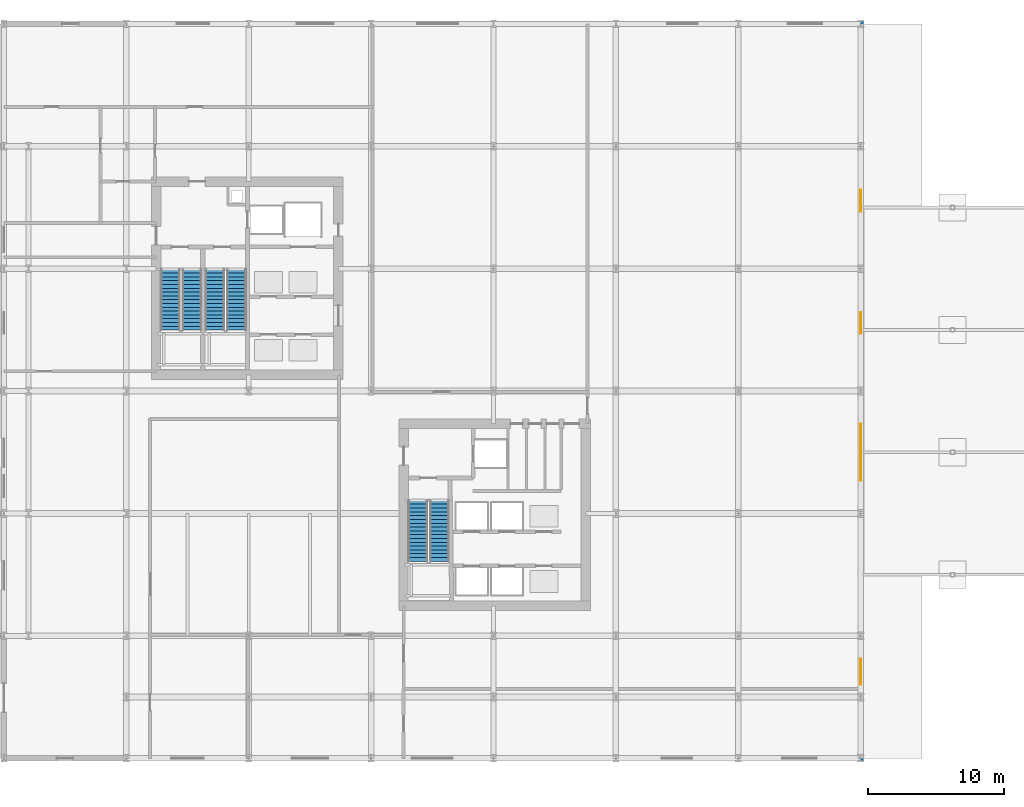
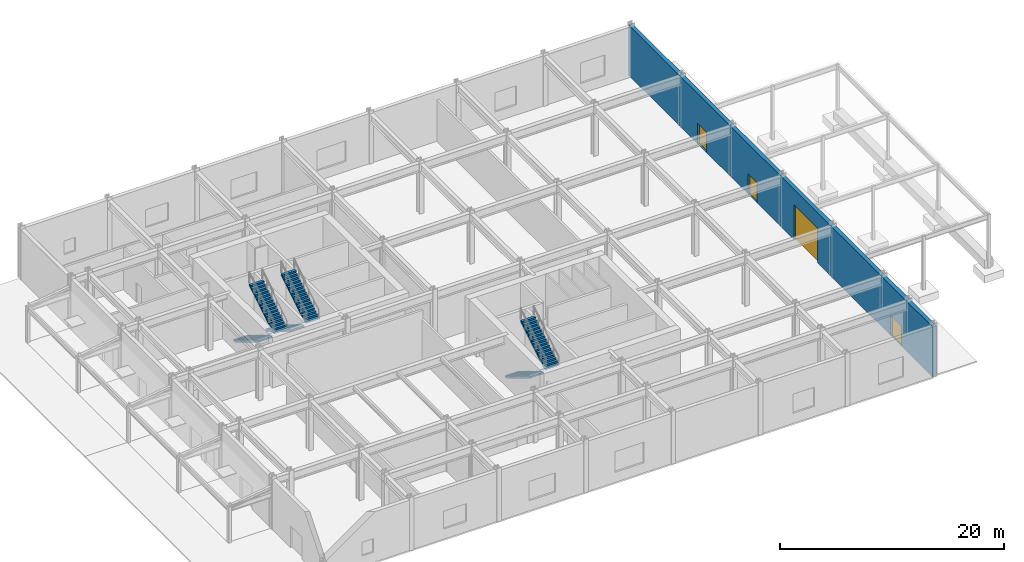
# One storey, part 13 of 19: 6 stair flights, 4 doors, 1 wall, 4 openings, 3 elements without a shape of their own.
"""IFC4 building model written with IfcOpenShell, lengths in metres."""

import ifcopenshell
import ifcopenshell.guid

model = None  # the IFC model being written
_history = None  # IfcOwnerHistory: only IFC2X3 demands one
_inside = {}  # id of a spatial element -> (the spatial element, [elements in it])
_under = {}  # id of a project, library or spatial element -> (it, [spatial elements below it])
_declared = {}  # id of a project -> (the project, [libraries it declares])
_typed = {}  # id of a type object -> (the type object, [elements of that type])
_made_of = {}  # id of a material, layer set ... -> (it, [elements and type objects made of it])


def new_model(schema):
    """Start an empty IFC model of exactly this schema.

    Asked for "IFC4X3", IfcOpenShell would pick the latest addendum, in which some entities
    have other attributes; the version numbers below select the first issue.
    IFC2X3 requires an IfcOwnerHistory on every rooted entity: one is made here for all.
    """
    global model, _history
    if schema == "IFC4X3":
        model = ifcopenshell.file(schema_version=(4, 3, 0, 0))
    else:
        model = ifcopenshell.file(schema=schema)
    _inside.clear()
    _under.clear()
    _declared.clear()
    _typed.clear()
    _made_of.clear()
    _history = None
    if model.schema == "IFC2X3":
        org = make("IfcOrganization", Name="unknown")
        user = make(
            "IfcPersonAndOrganization",
            ThePerson=make("IfcPerson", FamilyName="unknown"),
            TheOrganization=org,
        )
        app = make(
            "IfcApplication",
            ApplicationDeveloper=org,
            Version="unknown",
            ApplicationFullName="unknown",
            ApplicationIdentifier="unknown",
        )
        _history = make(
            "IfcOwnerHistory",
            OwningUser=user,
            OwningApplication=app,
            ChangeAction="ADDED",
            CreationDate=0,
        )
    return model


def make(cls, **values):
    """One entity of the class cls with the attributes given. An attribute that is None is left unset."""
    return model.create_entity(
        cls, **{name: value for name, value in values.items() if value is not None}
    )


def rooted(cls, **values):
    """An entity with a GlobalId (a new one), such as an element, a storey or a relation."""
    return make(cls, GlobalId=ifcopenshell.guid.new(), OwnerHistory=_history, **values)


def si_unit(unit_type, name, prefix=None):
    """IfcSIUnit, for example si_unit("LENGTHUNIT", "METRE", prefix="MILLI")."""
    return make("IfcSIUnit", UnitType=unit_type, Prefix=prefix, Name=name)


def assignment(units):
    """IfcUnitAssignment: the units of a project."""
    return None if units is None else make("IfcUnitAssignment", Units=units)


def point(xyz):
    """IfcCartesianPoint."""
    return None if xyz is None else make("IfcCartesianPoint", Coordinates=xyz)


def direction(xyz):
    """IfcDirection."""
    return None if xyz is None else make("IfcDirection", DirectionRatios=xyz)


def frame(location, z_axis=None, x_axis=None):
    """IfcAxis2Placement3D, a coordinate frame: its origin and axes. An axis left out is left unset."""
    return make(
        "IfcAxis2Placement3D",
        Location=point(location),
        Axis=direction(z_axis),
        RefDirection=direction(x_axis),
    )


def frame_2d(location, x_axis=None):
    """IfcAxis2Placement2D, a coordinate frame in the plane: its origin and x axis."""
    return make(
        "IfcAxis2Placement2D", Location=point(location), RefDirection=direction(x_axis)
    )


def origin():
    """The frame at (0, 0, 0) with its axes left unset."""
    return frame((0.0, 0.0, 0.0))


def place(relative_to, where):
    """IfcLocalPlacement: puts the frame where relative to a parent placement (None: the world)."""
    return make(
        "IfcLocalPlacement", PlacementRelTo=relative_to, RelativePlacement=where
    )


def context(
    kind, dimensions, precision=None, world=None, true_north=None, identifier=None
):
    """IfcGeometricRepresentationContext, for example the 3D "Model" context."""
    return make(
        "IfcGeometricRepresentationContext",
        ContextIdentifier=identifier,
        ContextType=kind,
        CoordinateSpaceDimension=dimensions,
        Precision=precision,
        WorldCoordinateSystem=world,
        TrueNorth=true_north,
    )


def subcontext(parent, identifier, kind, view, scale=None):
    """IfcGeometricRepresentationSubContext, for example "Body" below "Model"."""
    return make(
        "IfcGeometricRepresentationSubContext",
        ContextIdentifier=identifier,
        ContextType=kind,
        ParentContext=parent,
        TargetScale=scale,
        TargetView=view,
    )


def project(units=None, contexts=None):
    """IfcProject with its units and contexts."""
    return rooted(
        "IfcProject",
        Name="project",
        RepresentationContexts=contexts,
        UnitsInContext=assignment(units),
    )


def spatial(cls, under=None, at=None, **own):
    """A site, building, storey or space (cls), placed at a placement, below another one or the project."""
    s = rooted(cls, ObjectPlacement=at, **own)
    if under is not None:
        _under.setdefault(under.id(), (under, []))[1].append(s)
    return s


def polyline(points):
    """IfcPolyline through the points."""
    return make("IfcPolyline", Points=[point(p) for p in points])


def profile(cls, at=None, kind="AREA", **sizes):
    """A parametric profile (cls). Its sizes go by their IFC names, for example OverallWidth=200.0."""
    return make(cls, ProfileType=kind, Position=at, **sizes)


def rectangle(**sizes):
    """IfcRectangleProfileDef."""
    return profile("IfcRectangleProfileDef", **sizes)


def outline(outer, holes=None, kind="AREA"):
    """IfcArbitraryClosedProfileDef: a profile drawn as a closed curve; with holes, ...WithVoids."""
    if holes is None:
        return make("IfcArbitraryClosedProfileDef", ProfileType=kind, OuterCurve=outer)
    return make(
        "IfcArbitraryProfileDefWithVoids",
        ProfileType=kind,
        OuterCurve=outer,
        InnerCurves=holes,
    )


def extrude(swept, where, along, depth):
    """IfcExtrudedAreaSolid: the profile swept, set in the frame where, extruded along a direction by depth."""
    return make(
        "IfcExtrudedAreaSolid",
        SweptArea=swept,
        Position=where,
        ExtrudedDirection=direction(along),
        Depth=depth,
    )


def shape(context_of_items, identifier, shape_type, items):
    """IfcShapeRepresentation: the items that make up one representation, for example the "Body"."""
    return make(
        "IfcShapeRepresentation",
        ContextOfItems=context_of_items,
        RepresentationIdentifier=identifier,
        RepresentationType=shape_type,
        Items=items,
    )


def material(Name=None, Category=None):
    """IfcMaterial."""
    return make("IfcMaterial", Name=Name, Category=Category)


def layer(
    of_material, thickness, ventilated=None, Name=None, Category=None, Priority=None
):
    """IfcMaterialLayer: one layer of a wall or slab, of a material (None: an air gap)."""
    return make(
        "IfcMaterialLayer",
        Material=of_material,
        LayerThickness=thickness,
        IsVentilated=ventilated,
        Name=Name,
        Category=Category,
        Priority=Priority,
    )


def layer_set(layers, Name=None):
    """IfcMaterialLayerSet."""
    return make("IfcMaterialLayerSet", MaterialLayers=layers, LayerSetName=Name)


def made_of(thing, what):
    """Note that an element or type object is made of a material, layer set ...; save() writes the relation."""
    if what is not None:
        _made_of.setdefault(what.id(), (what, []))[1].append(thing)
    return thing


def type_object(cls, material=None, **own):
    """A type object (cls), such as IfcWallType, which elements share."""
    return made_of(rooted(cls, **own), material)


def element(
    cls,
    number,
    at=None,
    inside=None,
    cuts=None,
    type_object=None,
    material=None,
    context=None,
    identifier="Body",
    shape_type=None,
    held_by="IfcProductDefinitionShape",
    body=None,
    shapes=None,
    **own,
):
    """One element of the class cls, such as IfcWall. Its Tag is "e" and its number.

    at: its placement. inside: the storey or other place that contains it. cuts: it is an
    opening in that element (IfcRelVoidsElement). A single representation is given by context,
    identifier, shape_type and body (its items); several are given by shapes. held_by: the class
    of the entity that holds the representations. save() writes the other relations.
    """
    e = rooted(cls, Tag="e%d" % number, ObjectPlacement=at, **own)
    if body is not None:
        shapes = [shape(context, identifier, shape_type, body)]
    if shapes is not None:
        e.Representation = make(held_by, Representations=shapes)
    if inside is not None:
        _inside.setdefault(inside.id(), (inside, []))[1].append(e)
    if cuts is not None:
        rooted(
            "IfcRelVoidsElement", RelatingBuildingElement=cuts, RelatedOpeningElement=e
        )
    if type_object is not None:
        _typed.setdefault(type_object.id(), (type_object, []))[1].append(e)
    return made_of(e, material)


def fill(opening, filler):
    """IfcRelFillsElement: the door or window that sits in an opening."""
    return rooted(
        "IfcRelFillsElement",
        RelatingOpeningElement=opening,
        RelatedBuildingElement=filler,
    )


def aggregate(whole, parts):
    """IfcRelAggregates: a whole, such as a stair, and the parts it consists of."""
    return rooted("IfcRelAggregates", RelatingObject=whole, RelatedObjects=parts)


def save(model, path):
    """Write the relations noted so far, then the file.

    IfcRelAggregates (storeys below a building ...), IfcRelContainedInSpatialStructure (elements
    in a storey), IfcRelDefinesByType, IfcRelAssociatesMaterial and IfcRelDeclares: one each for
    every whole, place, type object, material and project.
    """
    for whole, parts in _under.values():
        aggregate(whole, parts)
    for where, things in _inside.values():
        rooted(
            "IfcRelContainedInSpatialStructure",
            RelatedElements=things,
            RelatingStructure=where,
        )
    for kind, things in _typed.values():
        rooted("IfcRelDefinesByType", RelatedObjects=things, RelatingType=kind)
    for what, things in _made_of.values():
        rooted("IfcRelAssociatesMaterial", RelatedObjects=things, RelatingMaterial=what)
    for by, libraries in _declared.values():
        rooted("IfcRelDeclares", RelatingContext=by, RelatedDefinitions=libraries)
    model.write(path)


model = new_model("IFC4")

# Units and contexts
model_context = context("Model", 3, precision=1e-05, world=origin(), true_north=direction((0.0, 1.0)))
body_context = subcontext(model_context, "Body", "Model", "MODEL_VIEW")
ifc_project = project(units=[si_unit("LENGTHUNIT", "METRE"), si_unit("AREAUNIT", "SQUARE_METRE"), si_unit("VOLUMEUNIT", "CUBIC_METRE"), si_unit("PLANEANGLEUNIT", "RADIAN"), si_unit("MASSUNIT", "GRAM", prefix="KILO")], contexts=[model_context])

# Site, building, storey
site_placement = place(None, origin())
site = spatial("IfcSite", under=ifc_project, at=site_placement, CompositionType="ELEMENT")
building_placement = place(site_placement, origin())
building = spatial("IfcBuilding", under=site, at=building_placement, Name="Solvaryn Broadcast Tower", CompositionType="ELEMENT")
storey_placement = place(building_placement, origin())
storey = spatial("IfcBuildingStorey", under=building, at=storey_placement, Name="L00", CompositionType="ELEMENT", Elevation=0.0)

# Wall, openings, doors
ifc_material_1 = material(Name="Concrete f'c 50 MPa", Category="concrete")
ifc_layer_1 = layer(ifc_material_1, 0.39990234375)
ifc_layer_set_1 = layer_set([ifc_layer_1], Name="EW-POD-400")
wall_type = type_object("IfcWallType", Name="EW-POD-400", PredefinedType="SOLIDWALL", material=ifc_layer_set_1)
wall_placement = place(storey_placement, frame((63.0, 54.199951171875, 0.0), z_axis=(0.0, 0.0, 1.0), x_axis=(0.0, -1.0, 0.0)))
wall = element("IfcWall", 1, at=wall_placement, inside=storey, type_object=wall_type, Name="L00 East Plaza Facade Wall", PredefinedType="SOLIDWALL", context=body_context, shape_type="SweptSolid", body=[
    extrude(rectangle(XDim=54.39990234375, YDim=0.39990234375, at=frame_2d((27.199951171875, 0.0))), origin(), (0.0, 0.0, 1.0), 5.47998046875),
])
opening_1_placement = place(wall_placement, frame((46.89990234375, 0.0, 0.0)))
opening_1 = element("IfcOpeningElement", 2, at=opening_1_placement, cuts=wall, Name="Opening ED-003", PredefinedType="OPENING", context=body_context, shape_type="SweptSolid", body=[
    extrude(rectangle(XDim=1.89990234375, YDim=2.199951171875, at=frame_2d((0.949951171875, 1.10009765625))), frame((0.0, 0.2099609375, 0.0), z_axis=(0.0, -1.0, 0.0), x_axis=(1.0, 0.0, 0.0)), (0.0, 0.0, 1.0), 0.419921875),
])
opening_2_placement = place(wall_placement, frame((12.39990234375, 0.0, 0.0)))
opening_2 = element("IfcOpeningElement", 3, at=opening_2_placement, cuts=wall, Name="Opening ED-007", PredefinedType="OPENING", context=body_context, shape_type="SweptSolid", body=[
    extrude(rectangle(XDim=1.60009765625, YDim=2.199951171875, at=frame_2d((0.800048828125, 1.10009765625))), frame((0.0, 0.2099609375, 0.0), z_axis=(0.0, -1.0, 0.0), x_axis=(1.0, 0.0, 0.0)), (0.0, 0.0, 1.0), 0.419921875),
])
opening_3_placement = place(wall_placement, frame((21.39990234375, 0.0, 0.0)))
opening_3 = element("IfcOpeningElement", 4, at=opening_3_placement, cuts=wall, Name="Opening ED-008", PredefinedType="OPENING", context=body_context, shape_type="SweptSolid", body=[
    extrude(rectangle(XDim=1.60009765625, YDim=2.199951171875, at=frame_2d((0.800048828125, 1.10009765625))), frame((0.0, 0.2099609375, 0.0), z_axis=(0.0, -1.0, 0.0), x_axis=(1.0, 0.0, 0.0)), (0.0, 0.0, 1.0), 0.419921875),
])
opening_4_placement = place(wall_placement, frame((29.60009765625, 0.0, 0.0)))
opening_4 = element("IfcOpeningElement", 5, at=opening_4_placement, cuts=wall, Name="Opening GS-001", PredefinedType="OPENING", context=body_context, shape_type="SweptSolid", body=[
    extrude(rectangle(XDim=4.199951171875, YDim=3.800048828125, at=frame_2d((2.10009765625, 1.89990234375))), frame((0.0, 0.2099609375, 0.0), z_axis=(0.0, -1.0, 0.0), x_axis=(1.0, 0.0, 0.0)), (0.0, 0.0, 1.0), 0.419921875),
])
ifc_material_2 = material(Name="Insulated Architectural Aluminium and Glazing", Category="aluminium")
door_type_1 = type_object("IfcDoorType", Name="ED-EXIT-1600X2200", OperationType="NOTDEFINED", PredefinedType="DOOR", material=ifc_material_2)
door_1_placement = place(opening_2_placement, origin())
door_1 = element("IfcDoor", 6, at=door_1_placement, inside=storey, type_object=door_type_1, Name="L00 East Loading Concourse Exit Door 1", OperationType="DOUBLE_DOOR_SINGLE_SWING", OverallHeight=2.199951171875, OverallWidth=1.60009765625, PredefinedType="DOOR", context=body_context, shape_type="SweptSolid", body=[
    extrude(rectangle(XDim=1.60009765625, YDim=2.199951171875, at=frame_2d((0.800048828125, 1.10009765625))), frame((0.0, 0.02490234375, 0.0), z_axis=(0.0, -1.0, 0.0), x_axis=(1.0, 0.0, 0.0)), (0.0, 0.0, 1.0), 0.050048828125),
])
fill(opening_2, door_1)
door_2_placement = place(opening_3_placement, origin())
door_2 = element("IfcDoor", 7, at=door_2_placement, inside=storey, type_object=door_type_1, Name="L00 East Loading Concourse Exit Door 2", OperationType="DOUBLE_DOOR_SINGLE_SWING", OverallHeight=2.199951171875, OverallWidth=1.60009765625, PredefinedType="DOOR", context=body_context, shape_type="SweptSolid", body=[
    extrude(rectangle(XDim=1.60009765625, YDim=2.199951171875, at=frame_2d((0.800048828125, 1.10009765625))), frame((0.0, 0.02490234375, 0.0), z_axis=(0.0, -1.0, 0.0), x_axis=(1.0, 0.0, 0.0)), (0.0, 0.0, 1.0), 0.050048828125),
])
fill(opening_3, door_2)
ifc_material_3 = material(Name="Insulated Architectural Aluminium and Glazing", Category="aluminium")
door_type_2 = type_object("IfcDoorType", Name="ED-EXIT-1900X2200", OperationType="NOTDEFINED", PredefinedType="DOOR", material=ifc_material_3)
door_3_placement = place(opening_1_placement, origin())
door_3 = element("IfcDoor", 8, at=door_3_placement, inside=storey, type_object=door_type_2, Name="L00 Final Exit Door ST3", OperationType="DOUBLE_DOOR_SINGLE_SWING", OverallHeight=2.199951171875, OverallWidth=1.89990234375, PredefinedType="DOOR", context=body_context, shape_type="SweptSolid", body=[
    extrude(rectangle(XDim=1.89990234375, YDim=2.199951171875, at=frame_2d((0.949951171875, 1.10009765625))), frame((0.0, 0.02490234375, 0.0), z_axis=(0.0, -1.0, 0.0), x_axis=(1.0, 0.0, 0.0)), (0.0, 0.0, 1.0), 0.050048828125),
])
fill(opening_1, door_3)
ifc_material_4 = material(Name="Insulated Architectural Aluminium and Glazing", Category="aluminium")
door_type_3 = type_object("IfcDoorType", Name="GS-SHUTTER-4200X3800", OperationType="NOTDEFINED", PredefinedType="GATE", material=ifc_material_4)
door_4_placement = place(opening_4_placement, origin())
door_4 = element("IfcDoor", 9, at=door_4_placement, inside=storey, type_object=door_type_3, Name="L00 OB-Truck Loading Bay Overhead Rolling Shutter Gate", OperationType="ROLLINGUP", OverallHeight=3.800048828125, OverallWidth=4.199951171875, PredefinedType="GATE", context=body_context, shape_type="SweptSolid", body=[
    extrude(rectangle(XDim=4.199951171875, YDim=3.800048828125, at=frame_2d((2.10009765625, 1.89990234375))), frame((0.0, 0.02490234375, 0.0), z_axis=(0.0, -1.0, 0.0), x_axis=(1.0, 0.0, 0.0)), (0.0, 0.0, 1.0), 0.050048828125),
])
fill(opening_4, door_4)

# Stair, stair flights
ifc_material_5 = material(Name="Concrete f'c 60 MPa", Category="concrete")
stair_type = type_object("IfcStairType", Name="ST-CORE", PredefinedType="HALF_TURN_STAIR", material=ifc_material_5)
stair_1_placement = place(storey_placement, origin())
stair_1 = element("IfcStair", 10, at=stair_1_placement, inside=storey, type_object=stair_type, Name="L00 ST1", PredefinedType="HALF_TURN_STAIR")
ifc_material_6 = material(Name="Concrete f'c 60 MPa", Category="concrete")
ifc_layer_2 = layer(ifc_material_6, 0.159912109375)
ifc_layer_set_2 = layer_set([ifc_layer_2], Name="SF-CORE")
stair_flight_type = type_object("IfcStairFlightType", Name="SF-CORE", PredefinedType="STRAIGHT", material=ifc_layer_set_2)
stair_flight_1_placement = place(storey_placement, frame((12.239990234375, 35.9599609375, 0.0), z_axis=(0.0, 0.0, 1.0), x_axis=(0.0, -1.0, 0.0)))
stair_flight_1 = element("IfcStairFlight", 11, at=stair_flight_1_placement, type_object=stair_flight_type, Name="ST1 flight 1", NumberOfRisers=17, NumberOfTreads=16, PredefinedType="STRAIGHT", RiserHeight=0.170588235, TreadLength=0.28, context=body_context, shape_type="SweptSolid", body=[
    extrude(outline(polyline([(0.0, 0.0), (0.0, 0.170654296875), (0.280029296875, 0.170654296875), (0.280029296875, 0.341064453125), (0.56005859375, 0.341064453125), (0.56005859375, 0.51171875), (0.840087890625, 0.51171875), (0.840087890625, 0.682373046875), (1.1201171875, 0.682373046875), (1.1201171875, 0.85302734375), (1.39990234375, 0.85302734375), (1.39990234375, 1.0234375), (1.679931640625, 1.0234375), (1.679931640625, 1.194091796875), (1.9599609375, 1.194091796875), (1.9599609375, 1.36474609375), (2.239990234375, 1.36474609375), (2.239990234375, 1.535400390625), (2.52001953125, 1.535400390625), (2.52001953125, 1.705810546875), (2.800048828125, 1.705810546875), (2.800048828125, 1.87646484375), (3.080078125, 1.87646484375), (3.080078125, 2.047119140625), (3.360107421875, 2.047119140625), (3.360107421875, 2.217529296875), (3.639892578125, 2.217529296875), (3.639892578125, 2.38818359375), (3.919921875, 2.38818359375), (3.919921875, 2.558837890625), (4.199951171875, 2.558837890625), (4.199951171875, 2.7294921875), (4.47998046875, 2.7294921875), (4.47998046875, 2.89990234375), (4.47998046875, 2.553955078125), (0.2880859375, 0.0), (0.0, 0.0)])), frame((0.0, 0.719970703125, 0.0), z_axis=(0.0, -1.0, 0.0), x_axis=(1.0, 0.0, 0.0)), (0.0, 0.0, 1.0), 1.43994140625),
])
stair_flight_2_placement = place(storey_placement, frame((13.830078125, 31.47998046875, 2.89990234375), z_axis=(0.0, 0.0, 1.0), x_axis=(0.0, 1.0, 0.0)))
stair_flight_2 = element("IfcStairFlight", 12, at=stair_flight_2_placement, type_object=stair_flight_type, Name="ST1 flight 2", NumberOfRisers=17, NumberOfTreads=16, PredefinedType="STRAIGHT", RiserHeight=0.170588235, TreadLength=0.28, context=body_context, shape_type="SweptSolid", body=[
    extrude(outline(polyline([(0.0, 0.0), (0.0, 0.170654296875), (0.280029296875, 0.170654296875), (0.280029296875, 0.341064453125), (0.56005859375, 0.341064453125), (0.56005859375, 0.51171875), (0.840087890625, 0.51171875), (0.840087890625, 0.682373046875), (1.1201171875, 0.682373046875), (1.1201171875, 0.85302734375), (1.39990234375, 0.85302734375), (1.39990234375, 1.0234375), (1.679931640625, 1.0234375), (1.679931640625, 1.194091796875), (1.9599609375, 1.194091796875), (1.9599609375, 1.36474609375), (2.239990234375, 1.36474609375), (2.239990234375, 1.535400390625), (2.52001953125, 1.535400390625), (2.52001953125, 1.705810546875), (2.800048828125, 1.705810546875), (2.800048828125, 1.87646484375), (3.080078125, 1.87646484375), (3.080078125, 2.047119140625), (3.360107421875, 2.047119140625), (3.360107421875, 2.217529296875), (3.639892578125, 2.217529296875), (3.639892578125, 2.38818359375), (3.919921875, 2.38818359375), (3.919921875, 2.558837890625), (4.199951171875, 2.558837890625), (4.199951171875, 2.7294921875), (4.47998046875, 2.7294921875), (4.47998046875, 2.89990234375), (4.47998046875, 2.553955078125), (0.2880859375, 0.0), (0.0, 0.0)])), frame((0.0, 0.719970703125, 0.0), z_axis=(0.0, -1.0, 0.0), x_axis=(1.0, 0.0, 0.0)), (0.0, 0.0, 1.0), 1.43994140625),
])
aggregate(stair_1, [stair_flight_1, stair_flight_2])

stair_2_placement = place(storey_placement, origin())
stair_2 = element("IfcStair", 13, at=stair_2_placement, inside=storey, type_object=stair_type, Name="L00 ST2", PredefinedType="HALF_TURN_STAIR")
stair_flight_3_placement = place(storey_placement, frame((15.52001953125, 35.9599609375, 0.0), z_axis=(0.0, 0.0, 1.0), x_axis=(0.0, -1.0, 0.0)))
stair_flight_3 = element("IfcStairFlight", 14, at=stair_flight_3_placement, type_object=stair_flight_type, Name="ST2 flight 1", NumberOfRisers=17, NumberOfTreads=16, PredefinedType="STRAIGHT", RiserHeight=0.170588235, TreadLength=0.28, context=body_context, shape_type="SweptSolid", body=[
    extrude(outline(polyline([(0.0, 0.0), (0.0, 0.170654296875), (0.280029296875, 0.170654296875), (0.280029296875, 0.341064453125), (0.56005859375, 0.341064453125), (0.56005859375, 0.51171875), (0.840087890625, 0.51171875), (0.840087890625, 0.682373046875), (1.1201171875, 0.682373046875), (1.1201171875, 0.85302734375), (1.39990234375, 0.85302734375), (1.39990234375, 1.0234375), (1.679931640625, 1.0234375), (1.679931640625, 1.194091796875), (1.9599609375, 1.194091796875), (1.9599609375, 1.36474609375), (2.239990234375, 1.36474609375), (2.239990234375, 1.535400390625), (2.52001953125, 1.535400390625), (2.52001953125, 1.705810546875), (2.800048828125, 1.705810546875), (2.800048828125, 1.87646484375), (3.080078125, 1.87646484375), (3.080078125, 2.047119140625), (3.360107421875, 2.047119140625), (3.360107421875, 2.217529296875), (3.639892578125, 2.217529296875), (3.639892578125, 2.38818359375), (3.919921875, 2.38818359375), (3.919921875, 2.558837890625), (4.199951171875, 2.558837890625), (4.199951171875, 2.7294921875), (4.47998046875, 2.7294921875), (4.47998046875, 2.89990234375), (4.47998046875, 2.553955078125), (0.2880859375, 0.0), (0.0, 0.0)])), frame((0.0, 0.719970703125, 0.0), z_axis=(0.0, -1.0, 0.0), x_axis=(1.0, 0.0, 0.0)), (0.0, 0.0, 1.0), 1.43994140625),
])
stair_flight_4_placement = place(storey_placement, frame((17.110107421875, 31.47998046875, 2.89990234375), z_axis=(0.0, 0.0, 1.0), x_axis=(0.0, 1.0, 0.0)))
stair_flight_4 = element("IfcStairFlight", 15, at=stair_flight_4_placement, type_object=stair_flight_type, Name="ST2 flight 2", NumberOfRisers=17, NumberOfTreads=16, PredefinedType="STRAIGHT", RiserHeight=0.170588235, TreadLength=0.28, context=body_context, shape_type="SweptSolid", body=[
    extrude(outline(polyline([(0.0, 0.0), (0.0, 0.170654296875), (0.280029296875, 0.170654296875), (0.280029296875, 0.341064453125), (0.56005859375, 0.341064453125), (0.56005859375, 0.51171875), (0.840087890625, 0.51171875), (0.840087890625, 0.682373046875), (1.1201171875, 0.682373046875), (1.1201171875, 0.85302734375), (1.39990234375, 0.85302734375), (1.39990234375, 1.0234375), (1.679931640625, 1.0234375), (1.679931640625, 1.194091796875), (1.9599609375, 1.194091796875), (1.9599609375, 1.36474609375), (2.239990234375, 1.36474609375), (2.239990234375, 1.535400390625), (2.52001953125, 1.535400390625), (2.52001953125, 1.705810546875), (2.800048828125, 1.705810546875), (2.800048828125, 1.87646484375), (3.080078125, 1.87646484375), (3.080078125, 2.047119140625), (3.360107421875, 2.047119140625), (3.360107421875, 2.217529296875), (3.639892578125, 2.217529296875), (3.639892578125, 2.38818359375), (3.919921875, 2.38818359375), (3.919921875, 2.558837890625), (4.199951171875, 2.558837890625), (4.199951171875, 2.7294921875), (4.47998046875, 2.7294921875), (4.47998046875, 2.89990234375), (4.47998046875, 2.553955078125), (0.2880859375, 0.0), (0.0, 0.0)])), frame((0.0, 0.719970703125, 0.0), z_axis=(0.0, -1.0, 0.0), x_axis=(1.0, 0.0, 0.0)), (0.0, 0.0, 1.0), 1.43994140625),
])
aggregate(stair_2, [stair_flight_3, stair_flight_4])

stair_3_placement = place(storey_placement, origin())
stair_3 = element("IfcStair", 16, at=stair_3_placement, inside=storey, type_object=stair_type, Name="L00 ST3", PredefinedType="HALF_TURN_STAIR")
stair_flight_5_placement = place(storey_placement, frame((30.43994140625, 18.9599609375, 0.0), z_axis=(0.0, 0.0, 1.0), x_axis=(0.0, -1.0, 0.0)))
stair_flight_5 = element("IfcStairFlight", 17, at=stair_flight_5_placement, type_object=stair_flight_type, Name="ST3 flight 1", NumberOfRisers=17, NumberOfTreads=16, PredefinedType="STRAIGHT", RiserHeight=0.170588235, TreadLength=0.28, context=body_context, shape_type="SweptSolid", body=[
    extrude(outline(polyline([(0.0, 0.0), (0.0, 0.170654296875), (0.280029296875, 0.170654296875), (0.280029296875, 0.341064453125), (0.56005859375, 0.341064453125), (0.56005859375, 0.51171875), (0.840087890625, 0.51171875), (0.840087890625, 0.682373046875), (1.1201171875, 0.682373046875), (1.1201171875, 0.85302734375), (1.39990234375, 0.85302734375), (1.39990234375, 1.0234375), (1.679931640625, 1.0234375), (1.679931640625, 1.194091796875), (1.9599609375, 1.194091796875), (1.9599609375, 1.36474609375), (2.239990234375, 1.36474609375), (2.239990234375, 1.535400390625), (2.52001953125, 1.535400390625), (2.52001953125, 1.705810546875), (2.800048828125, 1.705810546875), (2.800048828125, 1.87646484375), (3.080078125, 1.87646484375), (3.080078125, 2.047119140625), (3.360107421875, 2.047119140625), (3.360107421875, 2.217529296875), (3.639892578125, 2.217529296875), (3.639892578125, 2.38818359375), (3.919921875, 2.38818359375), (3.919921875, 2.558837890625), (4.199951171875, 2.558837890625), (4.199951171875, 2.7294921875), (4.47998046875, 2.7294921875), (4.47998046875, 2.89990234375), (4.47998046875, 2.553955078125), (0.2880859375, 0.0), (0.0, 0.0)])), frame((0.0, 0.719970703125, 0.0), z_axis=(0.0, -1.0, 0.0), x_axis=(1.0, 0.0, 0.0)), (0.0, 0.0, 1.0), 1.43994140625),
])
stair_flight_6_placement = place(storey_placement, frame((32.030029296875, 14.47998046875, 2.89990234375), z_axis=(0.0, 0.0, 1.0), x_axis=(0.0, 1.0, 0.0)))
stair_flight_6 = element("IfcStairFlight", 18, at=stair_flight_6_placement, type_object=stair_flight_type, Name="ST3 flight 2", NumberOfRisers=17, NumberOfTreads=16, PredefinedType="STRAIGHT", RiserHeight=0.170588235, TreadLength=0.28, context=body_context, shape_type="SweptSolid", body=[
    extrude(outline(polyline([(0.0, 0.0), (0.0, 0.170654296875), (0.280029296875, 0.170654296875), (0.280029296875, 0.341064453125), (0.56005859375, 0.341064453125), (0.56005859375, 0.51171875), (0.840087890625, 0.51171875), (0.840087890625, 0.682373046875), (1.1201171875, 0.682373046875), (1.1201171875, 0.85302734375), (1.39990234375, 0.85302734375), (1.39990234375, 1.0234375), (1.679931640625, 1.0234375), (1.679931640625, 1.194091796875), (1.9599609375, 1.194091796875), (1.9599609375, 1.36474609375), (2.239990234375, 1.36474609375), (2.239990234375, 1.535400390625), (2.52001953125, 1.535400390625), (2.52001953125, 1.705810546875), (2.800048828125, 1.705810546875), (2.800048828125, 1.87646484375), (3.080078125, 1.87646484375), (3.080078125, 2.047119140625), (3.360107421875, 2.047119140625), (3.360107421875, 2.217529296875), (3.639892578125, 2.217529296875), (3.639892578125, 2.38818359375), (3.919921875, 2.38818359375), (3.919921875, 2.558837890625), (4.199951171875, 2.558837890625), (4.199951171875, 2.7294921875), (4.47998046875, 2.7294921875), (4.47998046875, 2.89990234375), (4.47998046875, 2.553955078125), (0.2880859375, 0.0), (0.0, 0.0)])), frame((0.0, 0.719970703125, 0.0), z_axis=(0.0, -1.0, 0.0), x_axis=(1.0, 0.0, 0.0)), (0.0, 0.0, 1.0), 1.43994140625),
])
aggregate(stair_3, [stair_flight_5, stair_flight_6])

save(model, "model.ifc")
